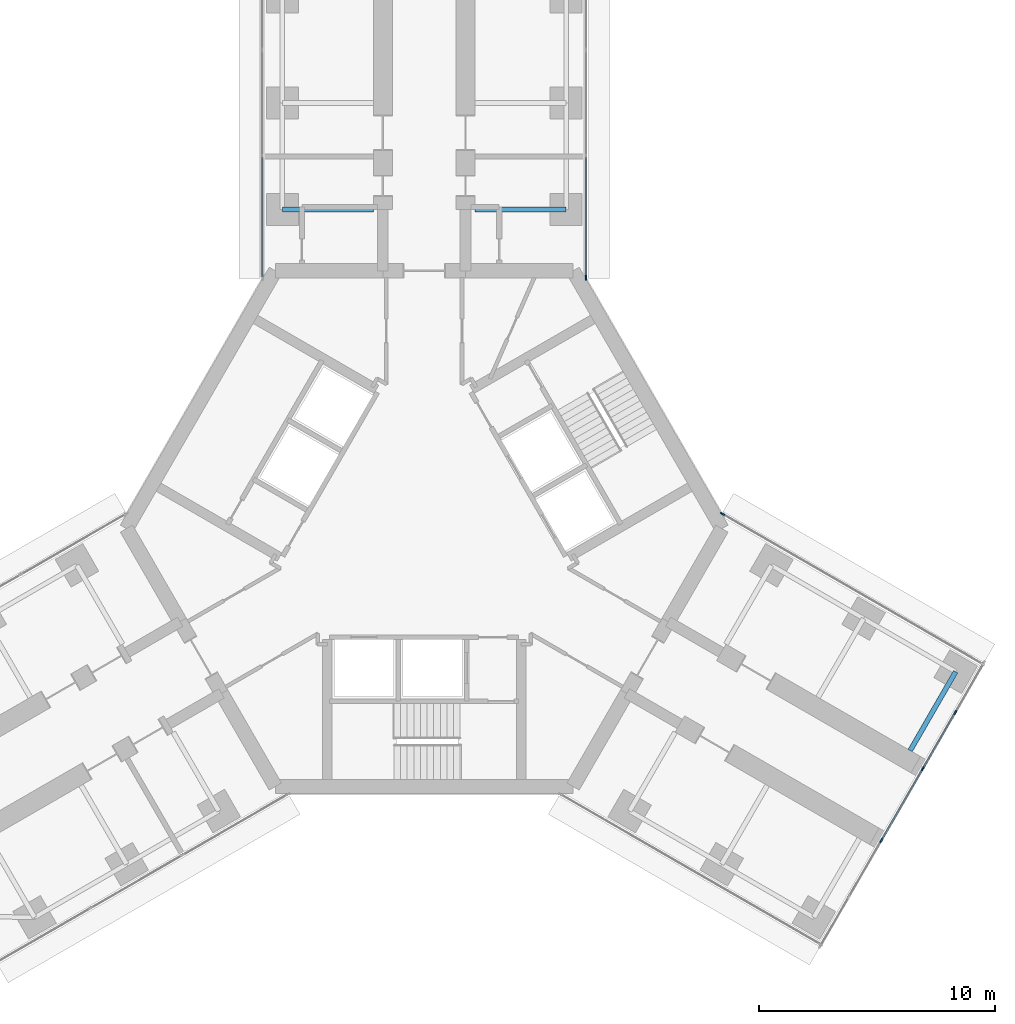
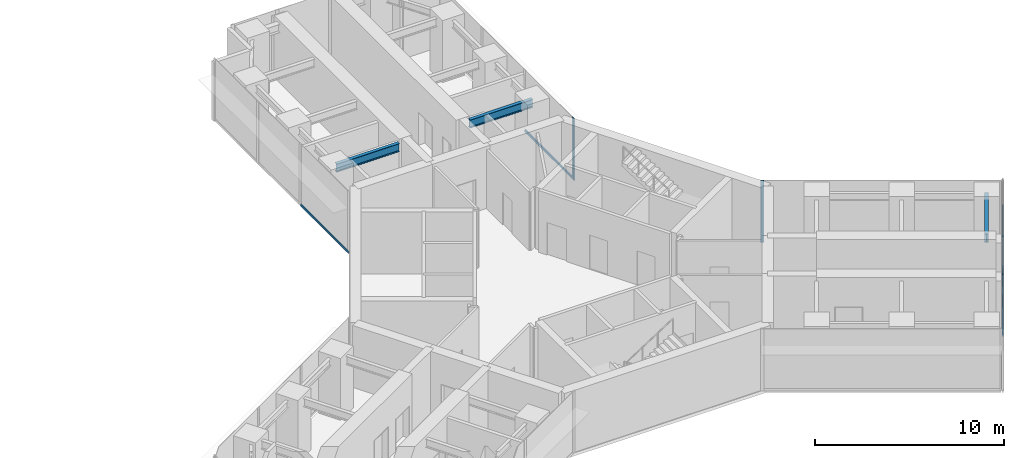
# One storey, part 10 of 21: 9 members, 3 beams, 4 elements without a shape of their own.
"""IFC4 building model written with IfcOpenShell, lengths in metres."""

from ifc_helpers import new_model, si_unit, direction, frame, origin, origin_2d, place, context, subcontext, project, spatial, rectangle, i_section, extrude, material, material_profile, profile_set, type_object, element, aggregate, save


model = new_model("IFC4")

# Units and contexts
model_context = context("Model", 3, precision=1e-05, world=origin(), true_north=direction((0.0, 1.0)))
body_context = subcontext(model_context, "Body", "Model", "MODEL_VIEW")
ifc_project = project(units=[si_unit("LENGTHUNIT", "METRE"), si_unit("AREAUNIT", "SQUARE_METRE"), si_unit("VOLUMEUNIT", "CUBIC_METRE"), si_unit("PLANEANGLEUNIT", "RADIAN"), si_unit("MASSUNIT", "GRAM", prefix="KILO")], contexts=[model_context])

# Site, building, storey
site_placement = place(None, origin())
site = spatial("IfcSite", under=ifc_project, at=site_placement, CompositionType="ELEMENT")
building_placement = place(site_placement, origin())
building = spatial("IfcBuilding", under=site, at=building_placement, Name="Upepo Twin Towers", CompositionType="ELEMENT")
storey_placement = place(building_placement, frame((0.0, 0.0, 109.5)))
storey = spatial("IfcBuildingStorey", under=building, at=storey_placement, Name="L26", CompositionType="ELEMENT", Elevation=109.5)

# Beams
ifc_material_1 = material(Name="Steel S355", Category="steel")
ifc_material_profile_1 = material_profile(ifc_material_1, i_section(OverallWidth=0.209228515625, OverallDepth=0.533203125, WebThickness=0.010009765625, FlangeThickness=0.015625, FilletRadius=0.0126953125, at=origin_2d()), Name="UB 533x210x92")
ifc_profile_set_1 = profile_set([ifc_material_profile_1], Name="Steel S355")
beam_type = type_object("IfcBeamType", Name="Beam UB 533x210x92", PredefinedType="BEAM", material=ifc_profile_set_1)
for number, where, z_axis, x_axis, name in (
    (1, (52.5, -4.5, 3.533447265625), (1.0, 0.0, 0.0), (0.0, 1.0, 0.0), "T2 girder AL at 13.5"),
    (2, (64.5, -4.5, 3.533447265625), (-1.0, 0.0, 0.0), (0.0, -1.0, 0.0), "T2 girder AR at 13.5"),
):
    element("IfcBeam", number, at=place(storey_placement, frame(where, z_axis=z_axis, x_axis=x_axis)), inside=storey, type_object=beam_type, Name=name, PredefinedType="BEAM", context=body_context, shape_type="SweptSolid", body=[
        extrude(i_section(OverallWidth=0.209228515625, OverallDepth=0.533203125, WebThickness=0.010009765625, FlangeThickness=0.015625, FilletRadius=0.0126953125, at=origin_2d()), origin(), (0.0, 0.0, 1.0), 3.85009765625),
    ])
beam_placement = place(storey_placement, frame((80.985595703125, -24.053955078125, 3.533447265625), z_axis=(-0.500033517596, -0.866006051527, 0.0), x_axis=(0.866006051527, -0.500033517596, 0.0)))
element("IfcBeam", 3, at=beam_placement, inside=storey, type_object=beam_type, Name="T2 girder CL at 22.5", PredefinedType="BEAM", context=body_context, shape_type="SweptSolid", body=[
    extrude(i_section(OverallWidth=0.209228515625, OverallDepth=0.533203125, WebThickness=0.010009765625, FlangeThickness=0.015625, FilletRadius=0.0126953125, at=origin_2d()), origin(), (0.0, 0.0, 1.0), 3.849853515625),
])

# Curtain wall, member
ifc_material_2 = material(Name="Aluminium and fritted glass", Category="aluminium")
curtain_wall_type = type_object("IfcCurtainWallType", Name="Tower curtain wall TW2, fritted glass", PredefinedType="NOTDEFINED", material=ifc_material_2)
curtain_wall_1_placement = place(storey_placement, origin())
curtain_wall_1 = element("IfcCurtainWall", 4, at=curtain_wall_1_placement, inside=storey, type_object=curtain_wall_type, Name="T2 L26 wing A flank R curtain wall", PredefinedType="NOTDEFINED")
ifc_material_3 = material(Name="Aluminium mullion", Category="aluminium")
ifc_material_profile_2 = material_profile(ifc_material_3, rectangle(XDim=0.06494140625, YDim=0.199951171875, at=origin_2d()), Name="MULLION 65x200")
ifc_profile_set_2 = profile_set([ifc_material_profile_2], Name="Aluminium mullion")
member_type_1 = type_object("IfcMemberType", Name="Mullion 65x200 TW2", PredefinedType="MULLION", material=ifc_profile_set_2)
member_1_placement = place(storey_placement, frame((65.35009765625, -7.38037109375, 0.0), z_axis=(0.0, 0.0, 1.0), x_axis=(1.0, 0.0, 0.0)))
member_1 = element("IfcMember", 5, at=member_1_placement, type_object=member_type_1, Name="T2 L26 wing A flank R curtain wall mullion 4", PredefinedType="MULLION", context=body_context, shape_type="SweptSolid", body=[
    extrude(rectangle(XDim=0.06494140625, YDim=0.199951171875, at=origin_2d()), origin(), (0.0, 0.0, 1.0), 4.0),
])

curtain_wall_2_placement = place(storey_placement, origin())
curtain_wall_2 = element("IfcCurtainWall", 6, at=curtain_wall_2_placement, inside=storey, type_object=curtain_wall_type, Name="T2 L26 wing C flank L curtain wall", PredefinedType="NOTDEFINED")
member_2_placement = place(storey_placement, frame((71.121826171875, -17.37744140625, 0.0), z_axis=(0.0, 0.0, 1.0), x_axis=(0.50000000792, 0.866025399212, 0.0)))
member_2 = element("IfcMember", 7, at=member_2_placement, type_object=member_type_1, Name="T2 L26 wing C flank L curtain wall mullion 1", PredefinedType="MULLION", context=body_context, shape_type="SweptSolid", body=[
    extrude(rectangle(XDim=0.06494140625, YDim=0.199951171875, at=origin_2d()), origin(), (0.0, 0.0, 1.0), 4.0),
])
aggregate(curtain_wall_2, [member_2])

# Curtain wall, members
curtain_wall_3_placement = place(storey_placement, origin())
curtain_wall_3 = element("IfcCurtainWall", 8, at=curtain_wall_3_placement, inside=storey, type_object=curtain_wall_type, Name="T2 L26 wing C nose curtain wall", PredefinedType="NOTDEFINED")
member_3_placement = place(storey_placement, frame((77.8466796875, -31.1904296875, 0.0), z_axis=(0.0, 0.0, 1.0), x_axis=(-0.866025419745, 0.499999972355, 0.0)))
member_3 = element("IfcMember", 9, at=member_3_placement, type_object=member_type_1, Name="T2 L26 wing C nose curtain wall mullion 3", PredefinedType="MULLION", context=body_context, shape_type="SweptSolid", body=[
    extrude(rectangle(XDim=0.06494140625, YDim=0.199951171875, at=origin_2d()), origin(), (0.0, 0.0, 1.0), 4.0),
])
member_4_placement = place(storey_placement, frame((79.5966796875, -28.159423828125, 0.0), z_axis=(0.0, 0.0, 1.0), x_axis=(-0.866025419745, 0.499999972355, 0.0)))
member_4 = element("IfcMember", 10, at=member_4_placement, type_object=member_type_1, Name="T2 L26 wing C nose curtain wall mullion 4", PredefinedType="MULLION", context=body_context, shape_type="SweptSolid", body=[
    extrude(rectangle(XDim=0.06494140625, YDim=0.199951171875, at=origin_2d()), origin(), (0.0, 0.0, 1.0), 4.0),
])
member_5_placement = place(storey_placement, frame((80.9716796875, -25.77783203125, 0.0), z_axis=(0.0, 0.0, 1.0), x_axis=(-0.866025419745, 0.499999972355, 0.0)))
member_5 = element("IfcMember", 11, at=member_5_placement, type_object=member_type_1, Name="T2 L26 wing C nose curtain wall mullion 5", PredefinedType="MULLION", context=body_context, shape_type="SweptSolid", body=[
    extrude(rectangle(XDim=0.06494140625, YDim=0.199951171875, at=origin_2d()), origin(), (0.0, 0.0, 1.0), 4.0),
])

# Curtain wall, member
curtain_wall_4_placement = place(storey_placement, origin())
curtain_wall_4 = element("IfcCurtainWall", 12, at=curtain_wall_4_placement, inside=storey, type_object=curtain_wall_type, Name="T2 L26 wing A flank L curtain wall", PredefinedType="NOTDEFINED")
ifc_material_4 = material(Name="Aluminium transom", Category="aluminium")
ifc_material_profile_3 = material_profile(ifc_material_4, rectangle(XDim=0.06494140625, YDim=0.14990234375, at=origin_2d()), Name="TRANSOM 65x150")
ifc_profile_set_3 = profile_set([ifc_material_profile_3], Name="Aluminium transom")
member_type_2 = type_object("IfcMemberType", Name="Transom 65x150 TW2", PredefinedType="USERDEFINED", material=ifc_profile_set_3)
member_6_placement = place(storey_placement, frame((51.64990234375, -7.347900390625, 0.074951171875), z_axis=(0.0, 1.0, 0.0), x_axis=(-1.0, 0.0, 0.0)))
member_6 = element("IfcMember", 13, at=member_6_placement, type_object=member_type_2, Name="T2 L26 wing A flank L curtain wall transom 1", ObjectType="TRANSOM", PredefinedType="USERDEFINED", context=body_context, shape_type="SweptSolid", body=[
    extrude(rectangle(XDim=0.06494140625, YDim=0.14990234375, at=origin_2d()), origin(), (0.0, 0.0, 1.0), 5.0654296875),
])
aggregate(curtain_wall_4, [member_6])

# Member
member_7_placement = place(storey_placement, frame((65.35009765625, -2.282470703125, 0.074951171875), z_axis=(0.0, -1.0, 0.0), x_axis=(1.0, 0.0, 0.0)))
member_7 = element("IfcMember", 14, at=member_7_placement, type_object=member_type_2, Name="T2 L26 wing A flank R curtain wall transom 3", ObjectType="TRANSOM", PredefinedType="USERDEFINED", context=body_context, shape_type="SweptSolid", body=[
    extrude(rectangle(XDim=0.06494140625, YDim=0.14990234375, at=origin_2d()), origin(), (0.0, 0.0, 1.0), 5.0654296875),
])

aggregate(curtain_wall_1, [member_1, member_7])

member_8_placement = place(storey_placement, frame((77.863037109375, -31.162353515625, 0.074951171875), z_axis=(0.499945997713, 0.866056579774, 0.0), x_axis=(-0.866056579774, 0.499945997713, 0.0)))
member_8 = element("IfcMember", 15, at=member_8_placement, type_object=member_type_2, Name="T2 L26 wing C nose curtain wall transom 3", ObjectType="TRANSOM", PredefinedType="USERDEFINED", context=body_context, shape_type="SweptSolid", body=[
    extrude(rectangle(XDim=0.06494140625, YDim=0.14990234375, at=origin_2d()), origin(), (0.0, 0.0, 1.0), 3.43505859375),
])

member_9_placement = place(storey_placement, frame((79.613037109375, -28.13134765625, 0.074951171875), z_axis=(0.49995335277, 0.8660523339, 0.0), x_axis=(-0.8660523339, 0.49995335277, 0.0)))
member_9 = element("IfcMember", 16, at=member_9_placement, type_object=member_type_2, Name="T2 L26 wing C nose curtain wall transom 4", ObjectType="TRANSOM", PredefinedType="USERDEFINED", context=body_context, shape_type="SweptSolid", body=[
    extrude(rectangle(XDim=0.06494140625, YDim=0.14990234375, at=origin_2d()), origin(), (0.0, 0.0, 1.0), 2.684814453125),
])

aggregate(curtain_wall_3, [member_3, member_4, member_5, member_8, member_9])

save(model, "model.ifc")
